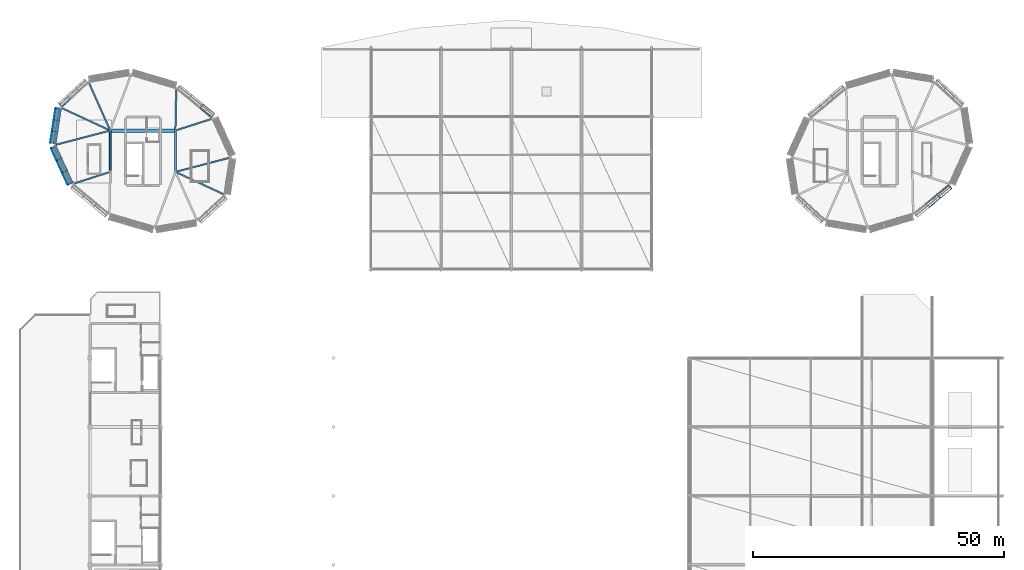
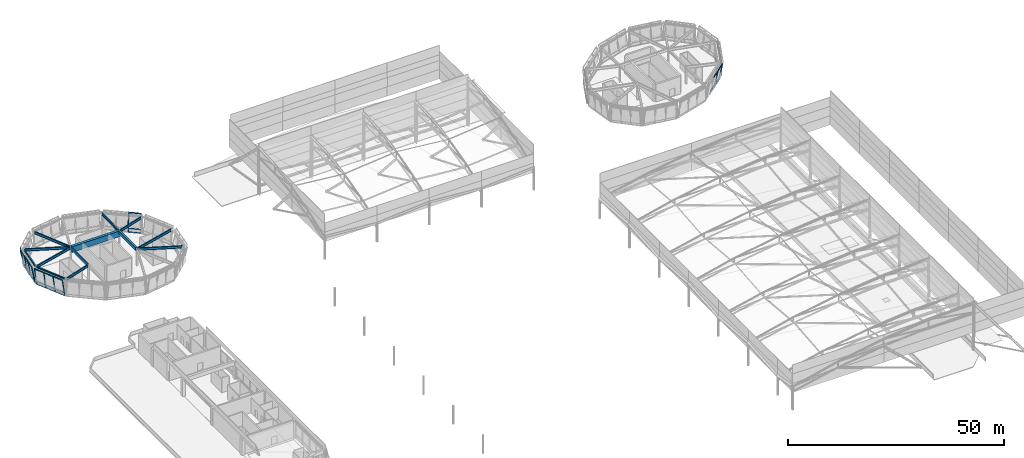
# One storey, part 55 of 113: 40 members, 13 beams, 5 elements without a shape of their own.
"""IFC4 building model written with IfcOpenShell, lengths in metres."""

from ifc_helpers import new_model, si_unit, direction, frame, origin, origin_2d, place, context, subcontext, project, spatial, rectangle, hollow_rectangle, i_section, extrude, material, material_profile, profile_set, type_object, element, aggregate, save


model = new_model("IFC4")

# Units and contexts
model_context = context("Model", 3, precision=1e-05, world=origin(), true_north=direction((0.0, 1.0)))
body_context = subcontext(model_context, "Body", "Model", "MODEL_VIEW")
ifc_project = project(units=[si_unit("LENGTHUNIT", "METRE"), si_unit("AREAUNIT", "SQUARE_METRE"), si_unit("VOLUMEUNIT", "CUBIC_METRE"), si_unit("PLANEANGLEUNIT", "RADIAN"), si_unit("MASSUNIT", "GRAM", prefix="KILO")], contexts=[model_context])

# Site, building, storey
site_placement = place(None, origin())
site = spatial("IfcSite", under=ifc_project, at=site_placement, CompositionType="ELEMENT")
building_placement = place(site_placement, origin())
building = spatial("IfcBuilding", under=site, at=building_placement, Name="Linyun Crest Stadium", CompositionType="ELEMENT")
storey_placement = place(building_placement, frame((0.0, 0.0, 26.39990234375)))
storey = spatial("IfcBuildingStorey", under=building, at=storey_placement, Name="L06", CompositionType="ELEMENT", Elevation=26.39990234375)

# Beams
ifc_material_1 = material(Name="Concrete C40", Category="concrete")
ifc_material_profile_1 = material_profile(ifc_material_1, rectangle(XDim=0.35009765625, YDim=0.64990234375, at=origin_2d()), Name="RCB 650x350")
ifc_profile_set_1 = profile_set([ifc_material_profile_1], Name="Concrete C40")
beam_type_1 = type_object("IfcBeamType", Name="B02", PredefinedType="BEAM", material=ifc_profile_set_1)
beam_1_placement = place(storey_placement, frame((-80.0, 80.699951171875, 4.6201171875), z_axis=(0.0, 1.0, 0.0), x_axis=(-1.0, 0.0, 0.0)))
element("IfcBeam", 1, at=beam_1_placement, inside=storey, type_object=beam_type_1, Name="Frame beam B02 L06 985", PredefinedType="BEAM", context=body_context, shape_type="SweptSolid", body=[
    extrude(rectangle(XDim=0.35009765625, YDim=0.64990234375, at=origin_2d()), origin(), (0.0, 0.0, 1.0), 7.900146484375),
])
ifc_material_2 = material(Name="Concrete C40", Category="concrete")
ifc_material_profile_2 = material_profile(ifc_material_2, rectangle(XDim=0.449951171875, YDim=0.85009765625, at=origin_2d()), Name="RCB 850x450")
ifc_profile_set_2 = profile_set([ifc_material_profile_2], Name="Concrete C40")
beam_type_2 = type_object("IfcBeamType", Name="B04", PredefinedType="BEAM", material=ifc_profile_set_2)
beam_2_placement = place(storey_placement, frame((-67.0, 80.699951171875, 4.52001953125), z_axis=(0.0, 1.0, 0.0), x_axis=(-1.0, 0.0, 0.0)))
element("IfcBeam", 2, at=beam_2_placement, inside=storey, type_object=beam_type_2, Name="Frame beam B04 L06 986", PredefinedType="BEAM", context=body_context, shape_type="SweptSolid", body=[
    extrude(rectangle(XDim=0.449951171875, YDim=0.85009765625, at=origin_2d()), origin(), (0.0, 0.0, 1.0), 7.900146484375),
])
ifc_material_3 = material(Name="Steel Q355C", Category="steel")
ifc_material_profile_3 = material_profile(ifc_material_3, i_section(OverallWidth=0.300048828125, OverallDepth=0.389892578125, WebThickness=0.010009765625, FlangeThickness=0.01611328125, at=origin_2d()), Name="HM 390x300")
ifc_profile_set_3 = profile_set([ifc_material_profile_3], Name="Steel Q355C")
beam_type_3 = type_object("IfcBeamType", Name="B06", PredefinedType="BEAM", material=ifc_profile_set_3)
beam_3_placement = place(storey_placement, frame((-89.85302734375, 93.19091796875, 4.75), z_axis=(-0.152213453027, -0.988347643655, 0.0), x_axis=(0.988347643655, -0.152213453027, 0.0)))
element("IfcBeam", 3, at=beam_3_placement, inside=storey, type_object=beam_type_3, Name="Pod ring girder B06 L06 85", PredefinedType="BEAM", context=body_context, shape_type="SweptSolid", body=[
    extrude(i_section(OverallWidth=0.300048828125, OverallDepth=0.389892578125, WebThickness=0.010009765625, FlangeThickness=0.01611328125, at=origin_2d()), origin(), (0.0, 0.0, 1.0), 7.278564453125),
])
beam_4_placement = place(storey_placement, frame((-90.928955078125, 85.76904296875, 4.75), z_axis=(0.41441702614, -0.910087099373, 0.0), x_axis=(0.910087099373, 0.41441702614, 0.0)))
element("IfcBeam", 4, at=beam_4_placement, inside=storey, type_object=beam_type_3, Name="Pod ring girder B06 L06 87", PredefinedType="BEAM", context=body_context, shape_type="SweptSolid", body=[
    extrude(i_section(OverallWidth=0.300048828125, OverallDepth=0.389892578125, WebThickness=0.010009765625, FlangeThickness=0.01611328125, at=origin_2d()), origin(), (0.0, 0.0, 1.0), 8.2958984375),
])
ifc_material_4 = material(Name="Steel Q355C", Category="steel")
ifc_material_profile_4 = material_profile(ifc_material_4, i_section(OverallWidth=0.300048828125, OverallDepth=0.699951171875, WebThickness=0.012939453125, FlangeThickness=0.02392578125, at=origin_2d()), Name="HN 700x300")
ifc_profile_set_4 = profile_set([ifc_material_profile_4], Name="Steel Q355C")
beam_type_4 = type_object("IfcBeamType", Name="B12", PredefinedType="BEAM", material=ifc_profile_set_4)
beam_5_placement = place(storey_placement, frame((-66.819091796875, 80.416015625, 4.59521484375), z_axis=(0.907241490816, -0.420610125106, 0.0), x_axis=(0.420610125106, 0.907241490816, 0.0)))
element("IfcBeam", 5, at=beam_5_placement, inside=storey, type_object=beam_type_4, Name="Pod radial tie girder B12 L06 74", PredefinedType="BEAM", context=body_context, shape_type="SweptSolid", body=[
    extrude(i_section(OverallWidth=0.300048828125, OverallDepth=0.699951171875, WebThickness=0.012939453125, FlangeThickness=0.02392578125, at=origin_2d()), origin(), (0.0, 0.0, 1.0), 10.420654296875),
])
beam_6_placement = place(storey_placement, frame((-66.806884765625, 80.551025390625, 4.59521484375), z_axis=(0.967466930693, 0.252997505948, 0.0), x_axis=(-0.252997505948, 0.967466930693, 0.0)))
element("IfcBeam", 6, at=beam_6_placement, inside=storey, type_object=beam_type_4, Name="Pod radial tie girder B12 L06 76", PredefinedType="BEAM", context=body_context, shape_type="SweptSolid", body=[
    extrude(i_section(OverallWidth=0.300048828125, OverallDepth=0.699951171875, WebThickness=0.012939453125, FlangeThickness=0.02392578125, at=origin_2d()), origin(), (0.0, 0.0, 1.0), 10.928466796875),
])
beam_7_placement = place(storey_placement, frame((-66.81005859375, 88.81103515625, 4.59521484375), z_axis=(0.952088987816, 0.305821123011, 0.0), x_axis=(-0.305821123011, 0.952088987816, 0.0)))
element("IfcBeam", 7, at=beam_7_placement, inside=storey, type_object=beam_type_4, Name="Pod radial tie girder B12 L06 78", PredefinedType="BEAM", context=body_context, shape_type="SweptSolid", body=[
    extrude(i_section(OverallWidth=0.300048828125, OverallDepth=0.699951171875, WebThickness=0.012939453125, FlangeThickness=0.02392578125, at=origin_2d()), origin(), (0.0, 0.0, 1.0), 7.396240234375),
])
beam_8_placement = place(storey_placement, frame((-66.99609375, 88.949951171875, 4.59521484375), z_axis=(0.01978842746, 0.999804189899, 0.0), x_axis=(-0.999804189899, 0.01978842746, 0.0)))
element("IfcBeam", 8, at=beam_8_placement, inside=storey, type_object=beam_type_4, Name="Pod radial tie girder B12 L06 80", PredefinedType="BEAM", context=body_context, shape_type="SweptSolid", body=[
    extrude(i_section(OverallWidth=0.300048828125, OverallDepth=0.699951171875, WebThickness=0.012939453125, FlangeThickness=0.02392578125, at=origin_2d()), origin(), (0.0, 0.0, 1.0), 7.99462890625),
])
beam_9_placement = place(storey_placement, frame((-80.0810546875, 88.93310546875, 4.59521484375), z_axis=(-0.407495258441, 0.913207322763, 0.0), x_axis=(-0.913207322763, -0.407495258441, 0.0)))
element("IfcBeam", 9, at=beam_9_placement, inside=storey, type_object=beam_type_4, Name="Pod radial tie girder B12 L06 84", PredefinedType="BEAM", context=body_context, shape_type="SweptSolid", body=[
    extrude(i_section(OverallWidth=0.300048828125, OverallDepth=0.699951171875, WebThickness=0.012939453125, FlangeThickness=0.02392578125, at=origin_2d()), origin(), (0.0, 0.0, 1.0), 10.1640625),
])
beam_10_placement = place(storey_placement, frame((-80.180908203125, 88.833984375, 4.59521484375), z_axis=(-0.907241490816, 0.420610125106, 0.0), x_axis=(-0.420610125106, -0.907241490816, 0.0)))
element("IfcBeam", 10, at=beam_10_placement, inside=storey, type_object=beam_type_4, Name="Pod radial tie girder B12 L06 86", PredefinedType="BEAM", context=body_context, shape_type="SweptSolid", body=[
    extrude(i_section(OverallWidth=0.300048828125, OverallDepth=0.699951171875, WebThickness=0.012939453125, FlangeThickness=0.02392578125, at=origin_2d()), origin(), (0.0, 0.0, 1.0), 10.420654296875),
])
beam_11_placement = place(storey_placement, frame((-80.193115234375, 88.698974609375, 4.59521484375), z_axis=(-0.967466930693, -0.252997505948, 0.0), x_axis=(0.252997505948, -0.967466930693, 0.0)))
element("IfcBeam", 11, at=beam_11_placement, inside=storey, type_object=beam_type_4, Name="Pod radial tie girder B12 L06 88", PredefinedType="BEAM", context=body_context, shape_type="SweptSolid", body=[
    extrude(i_section(OverallWidth=0.300048828125, OverallDepth=0.699951171875, WebThickness=0.012939453125, FlangeThickness=0.02392578125, at=origin_2d()), origin(), (0.0, 0.0, 1.0), 10.928466796875),
])
beam_12_placement = place(storey_placement, frame((-80.18994140625, 80.43896484375, 4.59521484375), z_axis=(-0.952088987816, -0.305821123011, 0.0), x_axis=(0.305821123011, -0.952088987816, 0.0)))
element("IfcBeam", 12, at=beam_12_placement, inside=storey, type_object=beam_type_4, Name="Pod radial tie girder B12 L06 90", PredefinedType="BEAM", context=body_context, shape_type="SweptSolid", body=[
    extrude(i_section(OverallWidth=0.300048828125, OverallDepth=0.699951171875, WebThickness=0.012939453125, FlangeThickness=0.02392578125, at=origin_2d()), origin(), (0.0, 0.0, 1.0), 7.396240234375),
])
ifc_material_5 = material(Name="Concrete C50", Category="concrete")
ifc_material_profile_5 = material_profile(ifc_material_5, rectangle(XDim=0.699951171875, YDim=1.60009765625, at=origin_2d()), Name="RCB 1600x700")
ifc_profile_set_5 = profile_set([ifc_material_profile_5], Name="Concrete C50")
beam_type_5 = type_object("IfcBeamType", Name="B13", PredefinedType="BEAM", material=ifc_profile_set_5)
beam_13_placement = place(storey_placement, frame((-79.85009765625, 88.75, 4.14501953125), z_axis=(1.0, 0.0, 0.0), x_axis=(0.0, 1.0, 0.0)))
element("IfcBeam", 13, at=beam_13_placement, inside=storey, type_object=beam_type_5, Name="Frame beam B13 L06 983", PredefinedType="BEAM", context=body_context, shape_type="SweptSolid", body=[
    extrude(rectangle(XDim=0.699951171875, YDim=1.60009765625, at=origin_2d()), origin(), (0.0, 0.0, 1.0), 12.7001953125),
])

# Curtain wall, member
ifc_material_6 = material(Name="Verdigris steel and low-E curtain wall assembly", Category="steel")
curtain_wall_type = type_object("IfcCurtainWallType", Name="MCW04", PredefinedType="NOTDEFINED", material=ifc_material_6)
curtain_wall_1_placement = place(storey_placement, origin())
curtain_wall_1 = element("IfcCurtainWall", 14, at=curtain_wall_1_placement, inside=storey, type_object=curtain_wall_type, Name="CWR-027", PredefinedType="NOTDEFINED")
ifc_material_7 = material(Name="Verdigris painted steel Q355C pod mullion", Category="steel")
ifc_material_profile_6 = material_profile(ifc_material_7, hollow_rectangle(XDim=0.1201171875, YDim=0.219970703125, WallThickness=0.008056640625, at=origin_2d()), Name="RHS 220x120x8")
ifc_profile_set_6 = profile_set([ifc_material_profile_6], Name="Verdigris painted steel Q355C pod mullion")
member_type_1 = type_object("IfcMemberType", Name="ML04", PredefinedType="MULLION", material=ifc_profile_set_6)
member_1_placement = place(storey_placement, frame((-62.06103515625, 93.2109375, 0.0), z_axis=(0.12724398281, 0.153628034951, 0.979901727581), x_axis=(0.972586832037, 0.174539399185, -0.153658232063)))
member_1 = element("IfcMember", 15, at=member_1_placement, type_object=member_type_1, Name="CWR-027 mullion 2", PredefinedType="MULLION", context=body_context, shape_type="SweptSolid", body=[
    extrude(hollow_rectangle(XDim=0.1201171875, YDim=0.219970703125, WallThickness=0.008056640625, at=origin_2d()), origin(), (0.0, 0.0, 1.0), 4.959716796875),
])

curtain_wall_2_placement = place(storey_placement, origin())
curtain_wall_2 = element("IfcCurtainWall", 16, at=curtain_wall_2_placement, inside=storey, type_object=curtain_wall_type, Name="CWR-030", PredefinedType="NOTDEFINED")
member_2_placement = place(storey_placement, frame((-89.614990234375, 93.513916015625, 0.0), z_axis=(-0.135271864626, 0.146396843303, 0.979933409427), x_axis=(-0.986900996133, 0.06784214931, -0.146368940042)))
member_2 = element("IfcMember", 17, at=member_2_placement, type_object=member_type_1, Name="CWR-030 mullion 4", PredefinedType="MULLION", context=body_context, shape_type="SweptSolid", body=[
    extrude(hollow_rectangle(XDim=0.1201171875, YDim=0.219970703125, WallThickness=0.008056640625, at=origin_2d()), origin(), (0.0, 0.0, 1.0), 4.959716796875),
])

# Curtain wall, members
curtain_wall_3_placement = place(storey_placement, origin())
curtain_wall_3 = element("IfcCurtainWall", 18, at=curtain_wall_3_placement, inside=storey, type_object=curtain_wall_type, Name="CWR-031", PredefinedType="NOTDEFINED")
member_3_placement = place(storey_placement, frame((-89.881103515625, 93.012939453125, 0.0), z_axis=(-0.196953878333, 0.030274090271, 0.979945227688), x_axis=(-0.297501139584, -0.954240107788, -0.030313175927)))
member_3 = element("IfcMember", 19, at=member_3_placement, type_object=member_type_1, Name="CWR-031 mullion 1", PredefinedType="MULLION", context=body_context, shape_type="SweptSolid", body=[
    extrude(hollow_rectangle(XDim=0.1201171875, YDim=0.219970703125, WallThickness=0.008056640625, at=origin_2d()), origin(), (0.0, 0.0, 1.0), 4.95947265625),
])
member_4_placement = place(storey_placement, frame((-90.23193359375, 90.73388671875, 0.0), z_axis=(-0.197001194284, 0.030273796723, 0.979935725792), x_axis=(-0.297463905344, -0.954251489613, -0.030320283472)))
member_4 = element("IfcMember", 20, at=member_4_placement, type_object=member_type_1, Name="CWR-031 mullion 2", PredefinedType="MULLION", context=body_context, shape_type="SweptSolid", body=[
    extrude(hollow_rectangle(XDim=0.1201171875, YDim=0.219970703125, WallThickness=0.008056640625, at=origin_2d()), origin(), (0.0, 0.0, 1.0), 4.959716796875),
])
member_5_placement = place(storey_placement, frame((-90.58203125, 88.4541015625, 0.0), z_axis=(-0.197189560657, 0.030420156886, 0.97989330604), x_axis=(-0.298012512631, -0.954079293793, -0.030351992869)))
member_5 = element("IfcMember", 21, at=member_5_placement, type_object=member_type_1, Name="CWR-031 mullion 3", PredefinedType="MULLION", context=body_context, shape_type="SweptSolid", body=[
    extrude(hollow_rectangle(XDim=0.1201171875, YDim=0.219970703125, WallThickness=0.008056640625, at=origin_2d()), origin(), (0.0, 0.0, 1.0), 4.959716796875),
])
member_6_placement = place(storey_placement, frame((-90.93310546875, 86.175048828125, 0.0), z_axis=(-0.196954171611, 0.030224909115, 0.979946686894), x_axis=(-0.297268346025, -0.954312688797, -0.030312084268)))
member_6 = element("IfcMember", 22, at=member_6_placement, type_object=member_type_1, Name="CWR-031 mullion 4", PredefinedType="MULLION", context=body_context, shape_type="SweptSolid", body=[
    extrude(hollow_rectangle(XDim=0.1201171875, YDim=0.219970703125, WallThickness=0.008056640625, at=origin_2d()), origin(), (0.0, 0.0, 1.0), 4.95947265625),
])

curtain_wall_4_placement = place(storey_placement, origin())
curtain_wall_4 = element("IfcCurtainWall", 23, at=curtain_wall_4_placement, inside=storey, type_object=curtain_wall_type, Name="CWR-032", PredefinedType="NOTDEFINED")
member_7_placement = place(storey_placement, frame((-90.85498046875, 85.60498046875, 0.0), z_axis=(-0.181443369746, -0.082648783995, 0.979922181645), x_axis=(0.746901902917, -0.659777631544, 0.082650011091)))
member_7 = element("IfcMember", 24, at=member_7_placement, type_object=member_type_1, Name="CWR-032 mullion 1", PredefinedType="MULLION", context=body_context, shape_type="SweptSolid", body=[
    extrude(hollow_rectangle(XDim=0.1201171875, YDim=0.219970703125, WallThickness=0.008056640625, at=origin_2d()), origin(), (0.0, 0.0, 1.0), 4.959716796875),
])
member_8_placement = place(storey_placement, frame((-89.758056640625, 83.197998046875, 0.0), z_axis=(-0.181443369746, -0.082648783995, 0.979922181645), x_axis=(0.746901902917, -0.659777631544, 0.082650011091)))
member_8 = element("IfcMember", 25, at=member_8_placement, type_object=member_type_1, Name="CWR-032 mullion 2", PredefinedType="MULLION", context=body_context, shape_type="SweptSolid", body=[
    extrude(hollow_rectangle(XDim=0.1201171875, YDim=0.219970703125, WallThickness=0.008056640625, at=origin_2d()), origin(), (0.0, 0.0, 1.0), 4.959716796875),
])
member_9_placement = place(storey_placement, frame((-88.662109375, 80.7900390625, 0.0), z_axis=(-0.181252204132, -0.082700625459, 0.97995318513), x_axis=(0.747332110531, -0.659298213004, 0.082586820371)))
member_9 = element("IfcMember", 26, at=member_9_placement, type_object=member_type_1, Name="CWR-032 mullion 3", PredefinedType="MULLION", context=body_context, shape_type="SweptSolid", body=[
    extrude(hollow_rectangle(XDim=0.1201171875, YDim=0.219970703125, WallThickness=0.008056640625, at=origin_2d()), origin(), (0.0, 0.0, 1.0), 4.95947265625),
])
member_10_placement = place(storey_placement, frame((-87.56494140625, 78.383056640625, 0.0), z_axis=(-0.181490234966, -0.082696933752, 0.979909440591), x_axis=(0.746977779315, -0.659688473454, 0.082675965084)))
member_10 = element("IfcMember", 27, at=member_10_placement, type_object=member_type_1, Name="CWR-032 mullion 4", PredefinedType="MULLION", context=body_context, shape_type="SweptSolid", body=[
    extrude(hollow_rectangle(XDim=0.1201171875, YDim=0.219970703125, WallThickness=0.008056640625, at=origin_2d()), origin(), (0.0, 0.0, 1.0), 4.959716796875),
])

curtain_wall_5_placement = place(storey_placement, origin())
curtain_wall_5 = element("IfcCurtainWall", 28, at=curtain_wall_5_placement, inside=storey, type_object=curtain_wall_type, Name="CWR-070", PredefinedType="NOTDEFINED")
member_11_placement = place(storey_placement, frame((84.93896484375, 76.0390625, 0.0), z_axis=(0.12724398281, -0.153628034951, 0.979901727581), x_axis=(-0.972586832037, 0.174539399185, 0.153658232063)))
member_11 = element("IfcMember", 29, at=member_11_placement, type_object=member_type_1, Name="CWR-070 mullion 3", PredefinedType="MULLION", context=body_context, shape_type="SweptSolid", body=[
    extrude(hollow_rectangle(XDim=0.1201171875, YDim=0.219970703125, WallThickness=0.008056640625, at=origin_2d()), origin(), (0.0, 0.0, 1.0), 4.959716796875),
])
member_12_placement = place(storey_placement, frame((87.2099609375, 77.9189453125, 0.0), z_axis=(0.12724398281, -0.153628034951, 0.979901727581), x_axis=(-0.972586832037, 0.174539399185, 0.153658232063)))
member_12 = element("IfcMember", 30, at=member_12_placement, type_object=member_type_1, Name="CWR-070 mullion 4", PredefinedType="MULLION", context=body_context, shape_type="SweptSolid", body=[
    extrude(hollow_rectangle(XDim=0.1201171875, YDim=0.219970703125, WallThickness=0.008056640625, at=origin_2d()), origin(), (0.0, 0.0, 1.0), 4.959716796875),
])

# Member
ifc_material_8 = material(Name="Verdigris painted steel Q355C transom", Category="steel")
ifc_material_profile_7 = material_profile(ifc_material_8, hollow_rectangle(XDim=0.10009765625, YDim=0.199951171875, WallThickness=0.008056640625, at=origin_2d()), Name="RHS 200x100x8")
ifc_profile_set_7 = profile_set([ifc_material_profile_7], Name="Verdigris painted steel Q355C transom")
member_type_2 = type_object("IfcMemberType", Name="TR03", PredefinedType="USERDEFINED", material=ifc_profile_set_7)
member_13_placement = place(storey_placement, frame((-59.7900390625, 91.3310546875, 0.0), z_axis=(-0.770321380351, 0.63765584054, 0.0), x_axis=(-0.63765584054, -0.770321380351, 0.0)))
member_13 = element("IfcMember", 31, at=member_13_placement, type_object=member_type_2, Name="CWR-027 transom 1.1", ObjectType="TRANSOM", PredefinedType="USERDEFINED", context=body_context, shape_type="SweptSolid", body=[
    extrude(hollow_rectangle(XDim=0.10009765625, YDim=0.199951171875, WallThickness=0.008056640625, at=origin_2d()), origin(), (0.0, 0.0, 1.0), 2.947998046875),
])

member_14_placement = place(storey_placement, frame((-59.673095703125, 91.471923828125, 0.900146484375), z_axis=(-0.770280703464, 0.637704977142, 0.0), x_axis=(-0.637704977142, -0.770280703464, 0.0)))
member_14 = element("IfcMember", 32, at=member_14_placement, type_object=member_type_2, Name="CWR-027 transom 1.2", ObjectType="TRANSOM", PredefinedType="USERDEFINED", context=body_context, shape_type="SweptSolid", body=[
    extrude(hollow_rectangle(XDim=0.10009765625, YDim=0.199951171875, WallThickness=0.008056640625, at=origin_2d()), origin(), (0.0, 0.0, 1.0), 2.9482421875),
])

member_15_placement = place(storey_placement, frame((-59.158935546875, 92.093017578125, 4.860107421875), z_axis=(-0.770321380351, 0.63765584054, 0.0), x_axis=(-0.63765584054, -0.770321380351, 0.0)))
member_15 = element("IfcMember", 33, at=member_15_placement, type_object=member_type_2, Name="CWR-027 transom 1.3", ObjectType="TRANSOM", PredefinedType="USERDEFINED", context=body_context, shape_type="SweptSolid", body=[
    extrude(hollow_rectangle(XDim=0.10009765625, YDim=0.199951171875, WallThickness=0.008056640625, at=origin_2d()), origin(), (0.0, 0.0, 1.0), 2.947998046875),
])

aggregate(curtain_wall_1, [member_1, member_13, member_14, member_15])

member_16_placement = place(storey_placement, frame((-87.9208984375, 95.080078125, 0.0), z_axis=(-0.734287991916, -0.678838084471, 0.0), x_axis=(0.678838084471, -0.734287991916, 0.0)))
member_16 = element("IfcMember", 34, at=member_16_placement, type_object=member_type_2, Name="CWR-030 transom 3.1", ObjectType="TRANSOM", PredefinedType="USERDEFINED", context=body_context, shape_type="SweptSolid", body=[
    extrude(hollow_rectangle(XDim=0.10009765625, YDim=0.199951171875, WallThickness=0.008056640625, at=origin_2d()), origin(), (0.0, 0.0, 1.0), 2.30712890625),
])

aggregate(curtain_wall_2, [member_2, member_16])

member_17_placement = place(storey_placement, frame((-89.881103515625, 93.012939453125, 0.0), z_axis=(-0.152144700169, -0.988358229697, 0.0), x_axis=(0.988358229697, -0.152144700169, 0.0)))
member_17 = element("IfcMember", 35, at=member_17_placement, type_object=member_type_2, Name="CWR-031 transom 1.1", ObjectType="TRANSOM", PredefinedType="USERDEFINED", context=body_context, shape_type="SweptSolid", body=[
    extrude(hollow_rectangle(XDim=0.10009765625, YDim=0.199951171875, WallThickness=0.008056640625, at=origin_2d()), origin(), (0.0, 0.0, 1.0), 2.305908203125),
])

member_18_placement = place(storey_placement, frame((-90.06201171875, 93.041015625, 0.900146484375), z_axis=(-0.152248123454, -0.988342303509, 0.0), x_axis=(0.988342303509, -0.152248123454, 0.0)))
member_18 = element("IfcMember", 36, at=member_18_placement, type_object=member_type_2, Name="CWR-031 transom 1.2", ObjectType="TRANSOM", PredefinedType="USERDEFINED", context=body_context, shape_type="SweptSolid", body=[
    extrude(hollow_rectangle(XDim=0.10009765625, YDim=0.199951171875, WallThickness=0.008056640625, at=origin_2d()), origin(), (0.0, 0.0, 1.0), 2.305908203125),
])

member_19_placement = place(storey_placement, frame((-90.85791015625, 93.1630859375, 4.860107421875), z_axis=(-0.152248123454, -0.988342303509, 0.0), x_axis=(0.988342303509, -0.152248123454, 0.0)))
member_19 = element("IfcMember", 37, at=member_19_placement, type_object=member_type_2, Name="CWR-031 transom 1.3", ObjectType="TRANSOM", PredefinedType="USERDEFINED", context=body_context, shape_type="SweptSolid", body=[
    extrude(hollow_rectangle(XDim=0.10009765625, YDim=0.199951171875, WallThickness=0.008056640625, at=origin_2d()), origin(), (0.0, 0.0, 1.0), 2.305908203125),
])

member_20_placement = place(storey_placement, frame((-90.23193359375, 90.73388671875, 0.0), z_axis=(-0.15178674483, -0.988413265843, 0.0), x_axis=(0.988413265843, -0.15178674483, 0.0)))
member_20 = element("IfcMember", 38, at=member_20_placement, type_object=member_type_2, Name="CWR-031 transom 2.1", ObjectType="TRANSOM", PredefinedType="USERDEFINED", context=body_context, shape_type="SweptSolid", body=[
    extrude(hollow_rectangle(XDim=0.10009765625, YDim=0.199951171875, WallThickness=0.008056640625, at=origin_2d()), origin(), (0.0, 0.0, 1.0), 2.306396484375),
])

member_21_placement = place(storey_placement, frame((-90.4130859375, 90.761962890625, 0.900146484375), z_axis=(-0.151667464216, -0.988431575931, 0.0), x_axis=(0.988431575931, -0.151667464216, 0.0)))
member_21 = element("IfcMember", 39, at=member_21_placement, type_object=member_type_2, Name="CWR-031 transom 2.2", ObjectType="TRANSOM", PredefinedType="USERDEFINED", context=body_context, shape_type="SweptSolid", body=[
    extrude(hollow_rectangle(XDim=0.10009765625, YDim=0.199951171875, WallThickness=0.008056640625, at=origin_2d()), origin(), (0.0, 0.0, 1.0), 2.306640625),
])

member_22_placement = place(storey_placement, frame((-91.208984375, 90.884033203125, 4.860107421875), z_axis=(-0.152248123454, -0.988342303509, 0.0), x_axis=(0.988342303509, -0.152248123454, 0.0)))
member_22 = element("IfcMember", 40, at=member_22_placement, type_object=member_type_2, Name="CWR-031 transom 2.3", ObjectType="TRANSOM", PredefinedType="USERDEFINED", context=body_context, shape_type="SweptSolid", body=[
    extrude(hollow_rectangle(XDim=0.10009765625, YDim=0.199951171875, WallThickness=0.008056640625, at=origin_2d()), origin(), (0.0, 0.0, 1.0), 2.305908203125),
])

member_23_placement = place(storey_placement, frame((-90.58203125, 88.4541015625, 0.0), z_axis=(-0.152248123454, -0.988342303509, 0.0), x_axis=(0.988342303509, -0.152248123454, 0.0)))
member_23 = element("IfcMember", 41, at=member_23_placement, type_object=member_type_2, Name="CWR-031 transom 3.1", ObjectType="TRANSOM", PredefinedType="USERDEFINED", context=body_context, shape_type="SweptSolid", body=[
    extrude(hollow_rectangle(XDim=0.10009765625, YDim=0.199951171875, WallThickness=0.008056640625, at=origin_2d()), origin(), (0.0, 0.0, 1.0), 2.305908203125),
])

member_24_placement = place(storey_placement, frame((-90.762939453125, 88.48193359375, 0.900146484375), z_axis=(-0.152248123454, -0.988342303509, 0.0), x_axis=(0.988342303509, -0.152248123454, 0.0)))
member_24 = element("IfcMember", 42, at=member_24_placement, type_object=member_type_2, Name="CWR-031 transom 3.2", ObjectType="TRANSOM", PredefinedType="USERDEFINED", context=body_context, shape_type="SweptSolid", body=[
    extrude(hollow_rectangle(XDim=0.10009765625, YDim=0.199951171875, WallThickness=0.008056640625, at=origin_2d()), origin(), (0.0, 0.0, 1.0), 2.305908203125),
])

member_25_placement = place(storey_placement, frame((-91.56005859375, 88.60498046875, 4.860107421875), z_axis=(-0.151667464216, -0.988431575931, 0.0), x_axis=(0.988431575931, -0.151667464216, 0.0)))
member_25 = element("IfcMember", 43, at=member_25_placement, type_object=member_type_2, Name="CWR-031 transom 3.3", ObjectType="TRANSOM", PredefinedType="USERDEFINED", context=body_context, shape_type="SweptSolid", body=[
    extrude(hollow_rectangle(XDim=0.10009765625, YDim=0.199951171875, WallThickness=0.008056640625, at=origin_2d()), origin(), (0.0, 0.0, 1.0), 2.306640625),
])

aggregate(curtain_wall_3, [member_3, member_4, member_5, member_6, member_17, member_18, member_19, member_20, member_21, member_22, member_23, member_24, member_25])

member_26_placement = place(storey_placement, frame((-90.85498046875, 85.60498046875, 0.0), z_axis=(0.414692848815, -0.90996145036, 0.0), x_axis=(0.90996145036, 0.414692848815, 0.0)))
member_26 = element("IfcMember", 44, at=member_26_placement, type_object=member_type_2, Name="CWR-032 transom 1.1", ObjectType="TRANSOM", PredefinedType="USERDEFINED", context=body_context, shape_type="SweptSolid", body=[
    extrude(hollow_rectangle(XDim=0.10009765625, YDim=0.199951171875, WallThickness=0.008056640625, at=origin_2d()), origin(), (0.0, 0.0, 1.0), 2.645263671875),
])

member_27_placement = place(storey_placement, frame((-91.02197265625, 85.529052734375, 0.900146484375), z_axis=(0.414692848815, -0.90996145036, 0.0), x_axis=(0.90996145036, 0.414692848815, 0.0)))
member_27 = element("IfcMember", 45, at=member_27_placement, type_object=member_type_2, Name="CWR-032 transom 1.2", ObjectType="TRANSOM", PredefinedType="USERDEFINED", context=body_context, shape_type="SweptSolid", body=[
    extrude(hollow_rectangle(XDim=0.10009765625, YDim=0.199951171875, WallThickness=0.008056640625, at=origin_2d()), origin(), (0.0, 0.0, 1.0), 2.645263671875),
])

member_28_placement = place(storey_placement, frame((-91.7548828125, 85.195068359375, 4.860107421875), z_axis=(0.414692848815, -0.90996145036, 0.0), x_axis=(0.90996145036, 0.414692848815, 0.0)))
member_28 = element("IfcMember", 46, at=member_28_placement, type_object=member_type_2, Name="CWR-032 transom 1.3", ObjectType="TRANSOM", PredefinedType="USERDEFINED", context=body_context, shape_type="SweptSolid", body=[
    extrude(hollow_rectangle(XDim=0.10009765625, YDim=0.199951171875, WallThickness=0.008056640625, at=origin_2d()), origin(), (0.0, 0.0, 1.0), 2.645263671875),
])

member_29_placement = place(storey_placement, frame((-89.758056640625, 83.197998046875, 0.0), z_axis=(0.414247864609, -0.910164109744, 0.0), x_axis=(0.910164109744, 0.414247864609, 0.0)))
member_29 = element("IfcMember", 47, at=member_29_placement, type_object=member_type_2, Name="CWR-032 transom 2.1", ObjectType="TRANSOM", PredefinedType="USERDEFINED", context=body_context, shape_type="SweptSolid", body=[
    extrude(hollow_rectangle(XDim=0.10009765625, YDim=0.199951171875, WallThickness=0.008056640625, at=origin_2d()), origin(), (0.0, 0.0, 1.0), 2.645751953125),
])

member_30_placement = place(storey_placement, frame((-89.925048828125, 83.1220703125, 0.900146484375), z_axis=(0.414629980899, -0.909990098265, 0.0), x_axis=(0.909990098265, 0.414629980899, 0.0)))
member_30 = element("IfcMember", 48, at=member_30_placement, type_object=member_type_2, Name="CWR-032 transom 2.2", ObjectType="TRANSOM", PredefinedType="USERDEFINED", context=body_context, shape_type="SweptSolid", body=[
    extrude(hollow_rectangle(XDim=0.10009765625, YDim=0.199951171875, WallThickness=0.008056640625, at=origin_2d()), origin(), (0.0, 0.0, 1.0), 2.646240234375),
])

member_31_placement = place(storey_placement, frame((-90.657958984375, 82.7880859375, 4.860107421875), z_axis=(0.414518769866, -0.91004076251, 0.0), x_axis=(0.91004076251, 0.414518769866, 0.0)))
member_31 = element("IfcMember", 49, at=member_31_placement, type_object=member_type_2, Name="CWR-032 transom 2.3", ObjectType="TRANSOM", PredefinedType="USERDEFINED", context=body_context, shape_type="SweptSolid", body=[
    extrude(hollow_rectangle(XDim=0.10009765625, YDim=0.199951171875, WallThickness=0.008056640625, at=origin_2d()), origin(), (0.0, 0.0, 1.0), 2.646240234375),
])

member_32_placement = place(storey_placement, frame((-88.662109375, 80.7900390625, 0.0), z_axis=(0.414769269545, -0.909926619591, 0.0), x_axis=(0.909926619591, 0.414769269545, 0.0)))
member_32 = element("IfcMember", 50, at=member_32_placement, type_object=member_type_2, Name="CWR-032 transom 3.1", ObjectType="TRANSOM", PredefinedType="USERDEFINED", context=body_context, shape_type="SweptSolid", body=[
    extrude(hollow_rectangle(XDim=0.10009765625, YDim=0.199951171875, WallThickness=0.008056640625, at=origin_2d()), origin(), (0.0, 0.0, 1.0), 2.645263671875),
])

member_33_placement = place(storey_placement, frame((-88.827880859375, 80.714111328125, 0.900146484375), z_axis=(0.414352266897, -0.910116585343, 0.0), x_axis=(0.910116585343, 0.414352266897, 0.0)))
member_33 = element("IfcMember", 51, at=member_33_placement, type_object=member_type_2, Name="CWR-032 transom 3.2", ObjectType="TRANSOM", PredefinedType="USERDEFINED", context=body_context, shape_type="SweptSolid", body=[
    extrude(hollow_rectangle(XDim=0.10009765625, YDim=0.199951171875, WallThickness=0.008056640625, at=origin_2d()), origin(), (0.0, 0.0, 1.0), 2.64501953125),
])

member_34_placement = place(storey_placement, frame((-89.56103515625, 80.3798828125, 4.860107421875), z_axis=(0.414387078143, -0.91010073589, 0.0), x_axis=(0.91010073589, 0.414387078143, 0.0)))
member_34 = element("IfcMember", 52, at=member_34_placement, type_object=member_type_2, Name="CWR-032 transom 3.3", ObjectType="TRANSOM", PredefinedType="USERDEFINED", context=body_context, shape_type="SweptSolid", body=[
    extrude(hollow_rectangle(XDim=0.10009765625, YDim=0.199951171875, WallThickness=0.008056640625, at=origin_2d()), origin(), (0.0, 0.0, 1.0), 2.644775390625),
])

aggregate(curtain_wall_4, [member_7, member_8, member_9, member_10, member_26, member_27, member_28, member_29, member_30, member_31, member_32, member_33, member_34])

member_35_placement = place(storey_placement, frame((82.66796875, 74.157958984375, 0.0), z_axis=(0.770118007544, 0.637901445724, 0.0), x_axis=(-0.637901445724, 0.770118007544, 0.0)))
member_35 = element("IfcMember", 53, at=member_35_placement, type_object=member_type_2, Name="CWR-070 transom 2.1", ObjectType="TRANSOM", PredefinedType="USERDEFINED", context=body_context, shape_type="SweptSolid", body=[
    extrude(hollow_rectangle(XDim=0.10009765625, YDim=0.199951171875, WallThickness=0.008056640625, at=origin_2d()), origin(), (0.0, 0.0, 1.0), 2.948974609375),
])

member_36_placement = place(storey_placement, frame((82.784912109375, 74.01708984375, 0.900146484375), z_axis=(0.770158679778, 0.63785234025, 0.0), x_axis=(-0.63785234025, 0.770158679778, 0.0)))
member_36 = element("IfcMember", 54, at=member_36_placement, type_object=member_type_2, Name="CWR-070 transom 2.2", ObjectType="TRANSOM", PredefinedType="USERDEFINED", context=body_context, shape_type="SweptSolid", body=[
    extrude(hollow_rectangle(XDim=0.10009765625, YDim=0.199951171875, WallThickness=0.008056640625, at=origin_2d()), origin(), (0.0, 0.0, 1.0), 2.94873046875),
])

member_37_placement = place(storey_placement, frame((83.299072265625, 73.39697265625, 4.860107421875), z_axis=(0.770280703464, 0.637704977142, 0.0), x_axis=(-0.637704977142, 0.770280703464, 0.0)))
member_37 = element("IfcMember", 55, at=member_37_placement, type_object=member_type_2, Name="CWR-070 transom 2.3", ObjectType="TRANSOM", PredefinedType="USERDEFINED", context=body_context, shape_type="SweptSolid", body=[
    extrude(hollow_rectangle(XDim=0.10009765625, YDim=0.199951171875, WallThickness=0.008056640625, at=origin_2d()), origin(), (0.0, 0.0, 1.0), 2.9482421875),
])

member_38_placement = place(storey_placement, frame((84.93896484375, 76.0390625, 0.0), z_axis=(0.770321380351, 0.63765584054, 0.0), x_axis=(-0.63765584054, 0.770321380351, 0.0)))
member_38 = element("IfcMember", 56, at=member_38_placement, type_object=member_type_2, Name="CWR-070 transom 3.1", ObjectType="TRANSOM", PredefinedType="USERDEFINED", context=body_context, shape_type="SweptSolid", body=[
    extrude(hollow_rectangle(XDim=0.10009765625, YDim=0.199951171875, WallThickness=0.008056640625, at=origin_2d()), origin(), (0.0, 0.0, 1.0), 2.947998046875),
])

member_39_placement = place(storey_placement, frame((85.055908203125, 75.89794921875, 0.900146484375), z_axis=(0.770280703464, 0.637704977142, 0.0), x_axis=(-0.637704977142, 0.770280703464, 0.0)))
member_39 = element("IfcMember", 57, at=member_39_placement, type_object=member_type_2, Name="CWR-070 transom 3.2", ObjectType="TRANSOM", PredefinedType="USERDEFINED", context=body_context, shape_type="SweptSolid", body=[
    extrude(hollow_rectangle(XDim=0.10009765625, YDim=0.199951171875, WallThickness=0.008056640625, at=origin_2d()), origin(), (0.0, 0.0, 1.0), 2.9482421875),
])

member_40_placement = place(storey_placement, frame((85.570068359375, 75.277099609375, 4.860107421875), z_axis=(0.770321380351, 0.63765584054, 0.0), x_axis=(-0.63765584054, 0.770321380351, 0.0)))
member_40 = element("IfcMember", 58, at=member_40_placement, type_object=member_type_2, Name="CWR-070 transom 3.3", ObjectType="TRANSOM", PredefinedType="USERDEFINED", context=body_context, shape_type="SweptSolid", body=[
    extrude(hollow_rectangle(XDim=0.10009765625, YDim=0.199951171875, WallThickness=0.008056640625, at=origin_2d()), origin(), (0.0, 0.0, 1.0), 2.947998046875),
])

aggregate(curtain_wall_5, [member_11, member_12, member_35, member_36, member_37, member_38, member_39, member_40])

save(model, "model.ifc")
